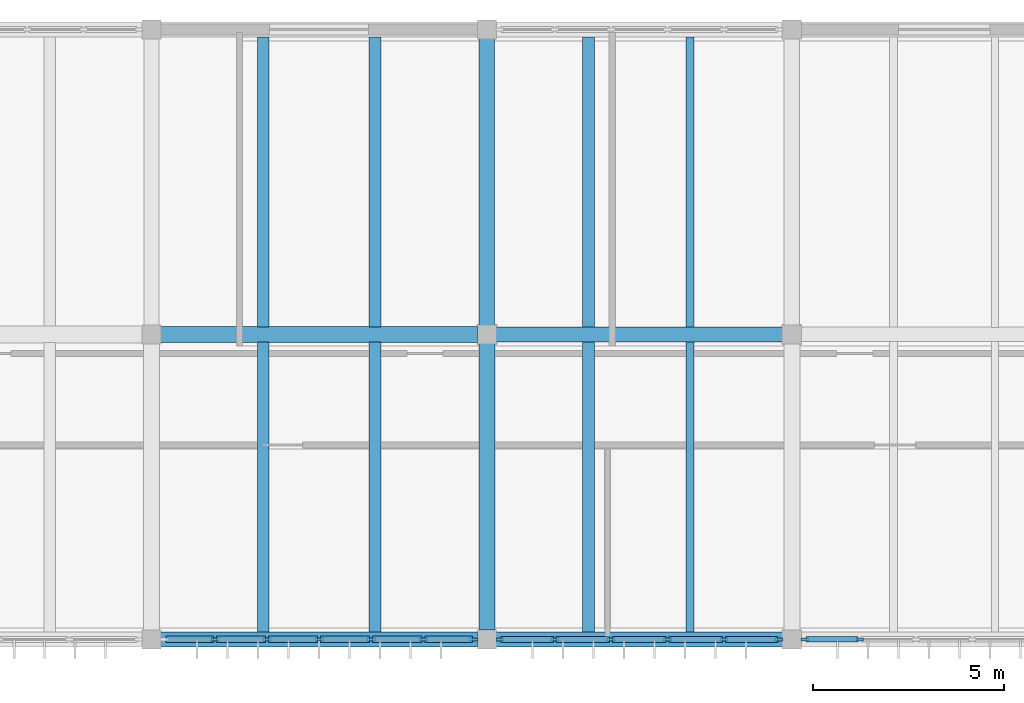
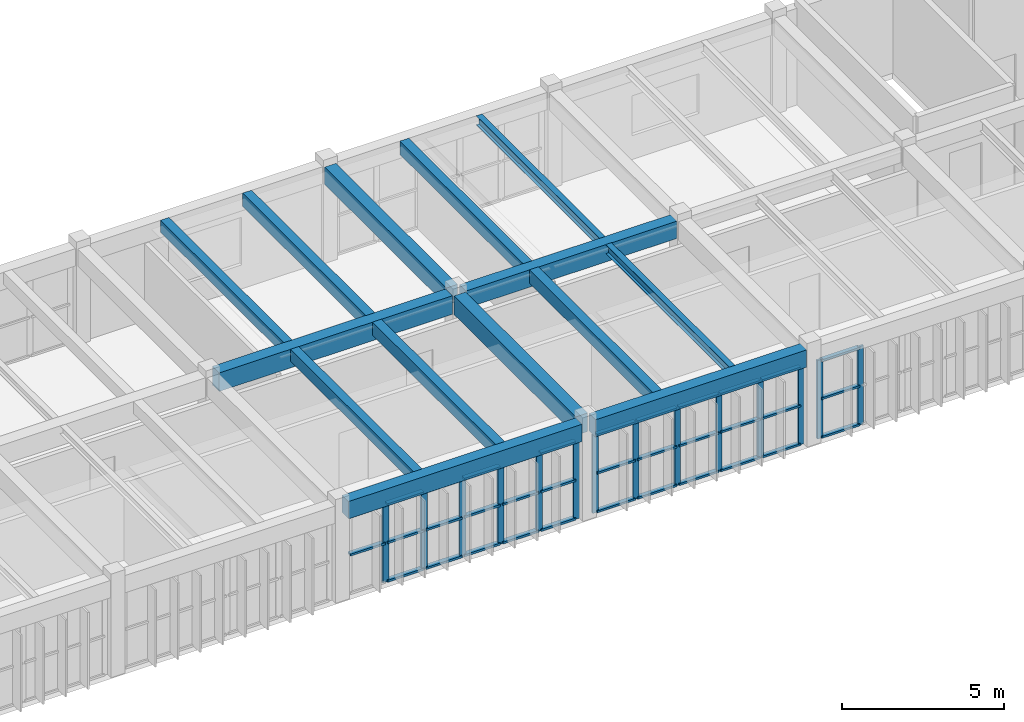
# One storey, part 4 of 12: 49 members, 14 beams, 3 elements without a shape of their own.
"""IFC4 building model written with IfcOpenShell, lengths in metres."""

import ifcopenshell
import ifcopenshell.guid

model = None  # the IFC model being written
_history = None  # IfcOwnerHistory: only IFC2X3 demands one
_inside = {}  # id of a spatial element -> (the spatial element, [elements in it])
_under = {}  # id of a project, library or spatial element -> (it, [spatial elements below it])
_declared = {}  # id of a project -> (the project, [libraries it declares])
_typed = {}  # id of a type object -> (the type object, [elements of that type])
_made_of = {}  # id of a material, layer set ... -> (it, [elements and type objects made of it])


def new_model(schema):
    """Start an empty IFC model of exactly this schema.

    Asked for "IFC4X3", IfcOpenShell would pick the latest addendum, in which some entities
    have other attributes; the version numbers below select the first issue.
    IFC2X3 requires an IfcOwnerHistory on every rooted entity: one is made here for all.
    """
    global model, _history
    if schema == "IFC4X3":
        model = ifcopenshell.file(schema_version=(4, 3, 0, 0))
    else:
        model = ifcopenshell.file(schema=schema)
    _inside.clear()
    _under.clear()
    _declared.clear()
    _typed.clear()
    _made_of.clear()
    _history = None
    if model.schema == "IFC2X3":
        org = make("IfcOrganization", Name="unknown")
        user = make(
            "IfcPersonAndOrganization",
            ThePerson=make("IfcPerson", FamilyName="unknown"),
            TheOrganization=org,
        )
        app = make(
            "IfcApplication",
            ApplicationDeveloper=org,
            Version="unknown",
            ApplicationFullName="unknown",
            ApplicationIdentifier="unknown",
        )
        _history = make(
            "IfcOwnerHistory",
            OwningUser=user,
            OwningApplication=app,
            ChangeAction="ADDED",
            CreationDate=0,
        )
    return model


def make(cls, **values):
    """One entity of the class cls with the attributes given. An attribute that is None is left unset."""
    return model.create_entity(
        cls, **{name: value for name, value in values.items() if value is not None}
    )


def rooted(cls, **values):
    """An entity with a GlobalId (a new one), such as an element, a storey or a relation."""
    return make(cls, GlobalId=ifcopenshell.guid.new(), OwnerHistory=_history, **values)


def si_unit(unit_type, name, prefix=None):
    """IfcSIUnit, for example si_unit("LENGTHUNIT", "METRE", prefix="MILLI")."""
    return make("IfcSIUnit", UnitType=unit_type, Prefix=prefix, Name=name)


def assignment(units):
    """IfcUnitAssignment: the units of a project."""
    return None if units is None else make("IfcUnitAssignment", Units=units)


def point(xyz):
    """IfcCartesianPoint."""
    return None if xyz is None else make("IfcCartesianPoint", Coordinates=xyz)


def direction(xyz):
    """IfcDirection."""
    return None if xyz is None else make("IfcDirection", DirectionRatios=xyz)


def frame(location, z_axis=None, x_axis=None):
    """IfcAxis2Placement3D, a coordinate frame: its origin and axes. An axis left out is left unset."""
    return make(
        "IfcAxis2Placement3D",
        Location=point(location),
        Axis=direction(z_axis),
        RefDirection=direction(x_axis),
    )


def frame_2d(location, x_axis=None):
    """IfcAxis2Placement2D, a coordinate frame in the plane: its origin and x axis."""
    return make(
        "IfcAxis2Placement2D", Location=point(location), RefDirection=direction(x_axis)
    )


def origin():
    """The frame at (0, 0, 0) with its axes left unset."""
    return frame((0.0, 0.0, 0.0))


def origin_2d():
    """The frame at (0, 0) in the plane with its x axis left unset."""
    return frame_2d((0.0, 0.0))


def place(relative_to, where):
    """IfcLocalPlacement: puts the frame where relative to a parent placement (None: the world)."""
    return make(
        "IfcLocalPlacement", PlacementRelTo=relative_to, RelativePlacement=where
    )


def context(
    kind, dimensions, precision=None, world=None, true_north=None, identifier=None
):
    """IfcGeometricRepresentationContext, for example the 3D "Model" context."""
    return make(
        "IfcGeometricRepresentationContext",
        ContextIdentifier=identifier,
        ContextType=kind,
        CoordinateSpaceDimension=dimensions,
        Precision=precision,
        WorldCoordinateSystem=world,
        TrueNorth=true_north,
    )


def subcontext(parent, identifier, kind, view, scale=None):
    """IfcGeometricRepresentationSubContext, for example "Body" below "Model"."""
    return make(
        "IfcGeometricRepresentationSubContext",
        ContextIdentifier=identifier,
        ContextType=kind,
        ParentContext=parent,
        TargetScale=scale,
        TargetView=view,
    )


def project(units=None, contexts=None):
    """IfcProject with its units and contexts."""
    return rooted(
        "IfcProject",
        Name="project",
        RepresentationContexts=contexts,
        UnitsInContext=assignment(units),
    )


def spatial(cls, under=None, at=None, **own):
    """A site, building, storey or space (cls), placed at a placement, below another one or the project."""
    s = rooted(cls, ObjectPlacement=at, **own)
    if under is not None:
        _under.setdefault(under.id(), (under, []))[1].append(s)
    return s


def profile(cls, at=None, kind="AREA", **sizes):
    """A parametric profile (cls). Its sizes go by their IFC names, for example OverallWidth=200.0."""
    return make(cls, ProfileType=kind, Position=at, **sizes)


def rectangle(**sizes):
    """IfcRectangleProfileDef."""
    return profile("IfcRectangleProfileDef", **sizes)


def i_section(**sizes):
    """IfcIShapeProfileDef."""
    return profile("IfcIShapeProfileDef", **sizes)


def extrude(swept, where, along, depth):
    """IfcExtrudedAreaSolid: the profile swept, set in the frame where, extruded along a direction by depth."""
    return make(
        "IfcExtrudedAreaSolid",
        SweptArea=swept,
        Position=where,
        ExtrudedDirection=direction(along),
        Depth=depth,
    )


def shape(context_of_items, identifier, shape_type, items):
    """IfcShapeRepresentation: the items that make up one representation, for example the "Body"."""
    return make(
        "IfcShapeRepresentation",
        ContextOfItems=context_of_items,
        RepresentationIdentifier=identifier,
        RepresentationType=shape_type,
        Items=items,
    )


def material(Name=None, Category=None):
    """IfcMaterial."""
    return make("IfcMaterial", Name=Name, Category=Category)


def material_profile(
    of_material, cross_section, Name=None, Category=None, Priority=None
):
    """IfcMaterialProfile: a cross section and its material."""
    return make(
        "IfcMaterialProfile",
        Name=Name,
        Material=of_material,
        Profile=cross_section,
        Priority=Priority,
        Category=Category,
    )


def profile_set(profiles, Name=None, composite=None):
    """IfcMaterialProfileSet."""
    return make(
        "IfcMaterialProfileSet",
        Name=Name,
        MaterialProfiles=profiles,
        CompositeProfile=composite,
    )


def made_of(thing, what):
    """Note that an element or type object is made of a material, layer set ...; save() writes the relation."""
    if what is not None:
        _made_of.setdefault(what.id(), (what, []))[1].append(thing)
    return thing


def type_object(cls, material=None, **own):
    """A type object (cls), such as IfcWallType, which elements share."""
    return made_of(rooted(cls, **own), material)


def element(
    cls,
    number,
    at=None,
    inside=None,
    cuts=None,
    type_object=None,
    material=None,
    context=None,
    identifier="Body",
    shape_type=None,
    held_by="IfcProductDefinitionShape",
    body=None,
    shapes=None,
    **own,
):
    """One element of the class cls, such as IfcWall. Its Tag is "e" and its number.

    at: its placement. inside: the storey or other place that contains it. cuts: it is an
    opening in that element (IfcRelVoidsElement). A single representation is given by context,
    identifier, shape_type and body (its items); several are given by shapes. held_by: the class
    of the entity that holds the representations. save() writes the other relations.
    """
    e = rooted(cls, Tag="e%d" % number, ObjectPlacement=at, **own)
    if body is not None:
        shapes = [shape(context, identifier, shape_type, body)]
    if shapes is not None:
        e.Representation = make(held_by, Representations=shapes)
    if inside is not None:
        _inside.setdefault(inside.id(), (inside, []))[1].append(e)
    if cuts is not None:
        rooted(
            "IfcRelVoidsElement", RelatingBuildingElement=cuts, RelatedOpeningElement=e
        )
    if type_object is not None:
        _typed.setdefault(type_object.id(), (type_object, []))[1].append(e)
    return made_of(e, material)


def aggregate(whole, parts):
    """IfcRelAggregates: a whole, such as a stair, and the parts it consists of."""
    return rooted("IfcRelAggregates", RelatingObject=whole, RelatedObjects=parts)


def save(model, path):
    """Write the relations noted so far, then the file.

    IfcRelAggregates (storeys below a building ...), IfcRelContainedInSpatialStructure (elements
    in a storey), IfcRelDefinesByType, IfcRelAssociatesMaterial and IfcRelDeclares: one each for
    every whole, place, type object, material and project.
    """
    for whole, parts in _under.values():
        aggregate(whole, parts)
    for where, things in _inside.values():
        rooted(
            "IfcRelContainedInSpatialStructure",
            RelatedElements=things,
            RelatingStructure=where,
        )
    for kind, things in _typed.values():
        rooted("IfcRelDefinesByType", RelatedObjects=things, RelatingType=kind)
    for what, things in _made_of.values():
        rooted("IfcRelAssociatesMaterial", RelatedObjects=things, RelatingMaterial=what)
    for by, libraries in _declared.values():
        rooted("IfcRelDeclares", RelatingContext=by, RelatedDefinitions=libraries)
    model.write(path)


model = new_model("IFC4")

# Units and contexts
model_context = context("Model", 3, precision=1e-05, world=origin(), true_north=direction((0.0, 1.0)))
body_context = subcontext(model_context, "Body", "Model", "MODEL_VIEW")
ifc_project = project(units=[si_unit("LENGTHUNIT", "METRE"), si_unit("AREAUNIT", "SQUARE_METRE"), si_unit("VOLUMEUNIT", "CUBIC_METRE"), si_unit("PLANEANGLEUNIT", "RADIAN"), si_unit("MASSUNIT", "GRAM", prefix="KILO")], contexts=[model_context])

# Site, building, storey
site_placement = place(None, origin())
site = spatial("IfcSite", under=ifc_project, at=site_placement, CompositionType="ELEMENT")
building_placement = place(site_placement, origin())
building = spatial("IfcBuilding", under=site, at=building_placement, Name="Tlaxcora Railside Police Headquarters", CompositionType="ELEMENT")
storey_placement = place(building_placement, frame((0.0, 0.0, 29.699951171875)))
storey = spatial("IfcBuildingStorey", under=building, at=storey_placement, Name="L07", CompositionType="ELEMENT", Elevation=29.699951171875)

# Curtain wall, members
ifc_material_1 = material(Name="Thermally broken low-E insulated glazing", Category="glass")
curtain_wall_type_1 = type_object("IfcCurtainWallType", Name="Unitised Curtain Wall Assembly CW-23", PredefinedType="NOTDEFINED", material=ifc_material_1)
curtain_wall_1_placement = place(storey_placement, origin())
curtain_wall_1 = element("IfcCurtainWall", 1, at=curtain_wall_1_placement, inside=storey, type_object=curtain_wall_type_1, Name="V5 L07 curtain wall 136", PredefinedType="NOTDEFINED")
ifc_material_2 = material(Name="Anodised aluminium framing", Category="aluminium")
ifc_material_profile_1 = material_profile(ifc_material_2, rectangle(XDim=0.080078125, YDim=0.219970703125, at=origin_2d()), Name="AL80X220")
ifc_profile_set_1 = profile_set([ifc_material_profile_1], Name="Anodised aluminium framing")
member_type_1 = type_object("IfcMemberType", Name="Curtain Wall Mullion CW-31", PredefinedType="MULLION", material=ifc_profile_set_1)
member_1_placement = place(storey_placement, frame((46.86669921875, 76.800048828125, 0.0), z_axis=(0.0, 0.0, 1.0), x_axis=(0.0, 1.0, 0.0)))
member_1 = element("IfcMember", 2, at=member_1_placement, type_object=member_type_1, Name="CW mullion 2", PredefinedType="MULLION", context=body_context, shape_type="SweptSolid", body=[
    extrude(rectangle(XDim=0.080078125, YDim=0.219970703125, at=origin_2d()), origin(), (0.0, 0.0, 1.0), 2.9599609375),
])
member_2_placement = place(storey_placement, frame((48.2333984375, 76.800048828125, 0.0), z_axis=(0.0, 0.0, 1.0), x_axis=(0.0, 1.0, 0.0)))
member_2 = element("IfcMember", 3, at=member_2_placement, type_object=member_type_1, Name="CW mullion 3", PredefinedType="MULLION", context=body_context, shape_type="SweptSolid", body=[
    extrude(rectangle(XDim=0.080078125, YDim=0.219970703125, at=origin_2d()), origin(), (0.0, 0.0, 1.0), 2.9599609375),
])
member_3_placement = place(storey_placement, frame((49.60009765625, 76.800048828125, 0.0), z_axis=(0.0, 0.0, 1.0), x_axis=(0.0, 1.0, 0.0)))
member_3 = element("IfcMember", 4, at=member_3_placement, type_object=member_type_1, Name="CW mullion 4", PredefinedType="MULLION", context=body_context, shape_type="SweptSolid", body=[
    extrude(rectangle(XDim=0.080078125, YDim=0.219970703125, at=origin_2d()), origin(), (0.0, 0.0, 1.0), 2.9599609375),
])
member_4_placement = place(storey_placement, frame((50.966552734375, 76.800048828125, 0.0), z_axis=(0.0, 0.0, 1.0), x_axis=(0.0, 1.0, 0.0)))
member_4 = element("IfcMember", 5, at=member_4_placement, type_object=member_type_1, Name="CW mullion 5", PredefinedType="MULLION", context=body_context, shape_type="SweptSolid", body=[
    extrude(rectangle(XDim=0.080078125, YDim=0.219970703125, at=origin_2d()), origin(), (0.0, 0.0, 1.0), 2.9599609375),
])
member_5_placement = place(storey_placement, frame((52.333251953125, 76.800048828125, 0.0), z_axis=(0.0, 0.0, 1.0), x_axis=(0.0, 1.0, 0.0)))
member_5 = element("IfcMember", 6, at=member_5_placement, type_object=member_type_1, Name="CW mullion 6", PredefinedType="MULLION", context=body_context, shape_type="SweptSolid", body=[
    extrude(rectangle(XDim=0.080078125, YDim=0.219970703125, at=origin_2d()), origin(), (0.0, 0.0, 1.0), 2.9599609375),
])
member_6_placement = place(storey_placement, frame((53.659912109375, 76.800048828125, 0.0), z_axis=(0.0, 0.0, 1.0), x_axis=(0.0, 1.0, 0.0)))
member_6 = element("IfcMember", 7, at=member_6_placement, type_object=member_type_1, Name="CW mullion 7", PredefinedType="MULLION", context=body_context, shape_type="SweptSolid", body=[
    extrude(rectangle(XDim=0.080078125, YDim=0.219970703125, at=origin_2d()), origin(), (0.0, 0.0, 1.0), 2.9599609375),
])

curtain_wall_type_2 = type_object("IfcCurtainWallType", Name="Unitised Curtain Wall Assembly CW-38", PredefinedType="NOTDEFINED", material=ifc_material_1)
curtain_wall_2_placement = place(storey_placement, origin())
curtain_wall_2 = element("IfcCurtainWall", 8, at=curtain_wall_2_placement, inside=storey, type_object=curtain_wall_type_2, Name="V5 L07 curtain wall 137", PredefinedType="NOTDEFINED")
ifc_material_profile_2 = material_profile(ifc_material_2, rectangle(XDim=0.074951171875, YDim=0.205078125, at=origin_2d()), Name="AL75X205")
ifc_profile_set_2 = profile_set([ifc_material_profile_2], Name="Anodised aluminium framing")
member_type_2 = type_object("IfcMemberType", Name="Curtain Wall Mullion CW-32", PredefinedType="MULLION", material=ifc_profile_set_2)
member_7_placement = place(storey_placement, frame((54.33740234375, 76.800048828125, 0.0), z_axis=(0.0, 0.0, 1.0), x_axis=(0.0, 1.0, 0.0)))
member_7 = element("IfcMember", 9, at=member_7_placement, type_object=member_type_2, Name="CW mullion 1", PredefinedType="MULLION", context=body_context, shape_type="SweptSolid", body=[
    extrude(rectangle(XDim=0.074951171875, YDim=0.205078125, at=origin_2d()), origin(), (0.0, 0.0, 1.0), 2.9599609375),
])
member_8_placement = place(storey_placement, frame((55.780029296875, 76.800048828125, 0.0), z_axis=(0.0, 0.0, 1.0), x_axis=(0.0, 1.0, 0.0)))
member_8 = element("IfcMember", 10, at=member_8_placement, type_object=member_type_2, Name="CW mullion 2", PredefinedType="MULLION", context=body_context, shape_type="SweptSolid", body=[
    extrude(rectangle(XDim=0.074951171875, YDim=0.205078125, at=origin_2d()), origin(), (0.0, 0.0, 1.0), 2.9599609375),
])
member_9_placement = place(storey_placement, frame((57.260009765625, 76.800048828125, 0.0), z_axis=(0.0, 0.0, 1.0), x_axis=(0.0, 1.0, 0.0)))
member_9 = element("IfcMember", 11, at=member_9_placement, type_object=member_type_2, Name="CW mullion 3", PredefinedType="MULLION", context=body_context, shape_type="SweptSolid", body=[
    extrude(rectangle(XDim=0.074951171875, YDim=0.205078125, at=origin_2d()), origin(), (0.0, 0.0, 1.0), 2.9599609375),
])
member_10_placement = place(storey_placement, frame((58.739990234375, 76.800048828125, 0.0), z_axis=(0.0, 0.0, 1.0), x_axis=(0.0, 1.0, 0.0)))
member_10 = element("IfcMember", 12, at=member_10_placement, type_object=member_type_2, Name="CW mullion 4", PredefinedType="MULLION", context=body_context, shape_type="SweptSolid", body=[
    extrude(rectangle(XDim=0.074951171875, YDim=0.205078125, at=origin_2d()), origin(), (0.0, 0.0, 1.0), 2.9599609375),
])
member_11_placement = place(storey_placement, frame((60.219970703125, 76.800048828125, 0.0), z_axis=(0.0, 0.0, 1.0), x_axis=(0.0, 1.0, 0.0)))
member_11 = element("IfcMember", 13, at=member_11_placement, type_object=member_type_2, Name="CW mullion 5", PredefinedType="MULLION", context=body_context, shape_type="SweptSolid", body=[
    extrude(rectangle(XDim=0.074951171875, YDim=0.205078125, at=origin_2d()), origin(), (0.0, 0.0, 1.0), 2.9599609375),
])
member_12_placement = place(storey_placement, frame((61.66259765625, 76.800048828125, 0.0), z_axis=(0.0, 0.0, 1.0), x_axis=(0.0, 1.0, 0.0)))
member_12 = element("IfcMember", 14, at=member_12_placement, type_object=member_type_2, Name="CW mullion 6", PredefinedType="MULLION", context=body_context, shape_type="SweptSolid", body=[
    extrude(rectangle(XDim=0.074951171875, YDim=0.205078125, at=origin_2d()), origin(), (0.0, 0.0, 1.0), 2.9599609375),
])

curtain_wall_type_3 = type_object("IfcCurtainWallType", Name="Unitised Curtain Wall Assembly CW-15", PredefinedType="NOTDEFINED", material=ifc_material_1)
curtain_wall_3_placement = place(storey_placement, origin())
curtain_wall_3 = element("IfcCurtainWall", 15, at=curtain_wall_3_placement, inside=storey, type_object=curtain_wall_type_3, Name="V5 L07 curtain wall 138", PredefinedType="NOTDEFINED")
ifc_material_profile_3 = material_profile(ifc_material_2, rectangle(XDim=0.074951171875, YDim=0.199951171875, at=origin_2d()), Name="AL75X200")
ifc_profile_set_3 = profile_set([ifc_material_profile_3], Name="Anodised aluminium framing")
member_type_3 = type_object("IfcMemberType", Name="Curtain Wall Mullion CW-58", PredefinedType="MULLION", material=ifc_profile_set_3)
member_13_placement = place(storey_placement, frame((62.33740234375, 76.800048828125, 0.0), z_axis=(0.0, 0.0, 1.0), x_axis=(0.0, 1.0, 0.0)))
member_13 = element("IfcMember", 16, at=member_13_placement, type_object=member_type_3, Name="CW mullion 1", PredefinedType="MULLION", context=body_context, shape_type="SweptSolid", body=[
    extrude(rectangle(XDim=0.074951171875, YDim=0.199951171875, at=origin_2d()), origin(), (0.0, 0.0, 1.0), 2.9599609375),
])
member_14_placement = place(storey_placement, frame((63.780029296875, 76.800048828125, 0.0), z_axis=(0.0, 0.0, 1.0), x_axis=(0.0, 1.0, 0.0)))
member_14 = element("IfcMember", 17, at=member_14_placement, type_object=member_type_3, Name="CW mullion 2", PredefinedType="MULLION", context=body_context, shape_type="SweptSolid", body=[
    extrude(rectangle(XDim=0.074951171875, YDim=0.199951171875, at=origin_2d()), origin(), (0.0, 0.0, 1.0), 2.9599609375),
])
ifc_material_profile_4 = material_profile(ifc_material_2, rectangle(XDim=0.14990234375, YDim=0.074951171875, at=origin_2d()), Name="AL75X150")
ifc_profile_set_4 = profile_set([ifc_material_profile_4], Name="Anodised aluminium framing")
member_type_4 = type_object("IfcMemberType", Name="Curtain Wall Transom CW-28", PredefinedType="USERDEFINED", material=ifc_profile_set_4)
member_15_placement = place(storey_placement, frame((62.375, 76.800048828125, 0.03759765625), z_axis=(1.0, 0.0, 0.0), x_axis=(0.0, 1.0, 0.0)))
member_15 = element("IfcMember", 18, at=member_15_placement, type_object=member_type_4, Name="CW transom 1.1", ObjectType="TRANSOM", PredefinedType="USERDEFINED", context=body_context, shape_type="SweptSolid", body=[
    extrude(rectangle(XDim=0.14990234375, YDim=0.074951171875, at=origin_2d()), origin(), (0.0, 0.0, 1.0), 1.367431640625),
])
member_16_placement = place(storey_placement, frame((62.375, 76.800048828125, 1.489990234375), z_axis=(1.0, 0.0, 0.0), x_axis=(0.0, 1.0, 0.0)))
member_16 = element("IfcMember", 19, at=member_16_placement, type_object=member_type_4, Name="CW transom 1.2", ObjectType="TRANSOM", PredefinedType="USERDEFINED", context=body_context, shape_type="SweptSolid", body=[
    extrude(rectangle(XDim=0.14990234375, YDim=0.074951171875, at=origin_2d()), origin(), (0.0, 0.0, 1.0), 1.367431640625),
])
member_17_placement = place(storey_placement, frame((62.375, 76.800048828125, 2.922607421875), z_axis=(1.0, 0.0, 0.0), x_axis=(0.0, 1.0, 0.0)))
member_17 = element("IfcMember", 20, at=member_17_placement, type_object=member_type_4, Name="CW transom 1.3", ObjectType="TRANSOM", PredefinedType="USERDEFINED", context=body_context, shape_type="SweptSolid", body=[
    extrude(rectangle(XDim=0.14990234375, YDim=0.074951171875, at=origin_2d()), origin(), (0.0, 0.0, 1.0), 1.367431640625),
])
aggregate(curtain_wall_3, [member_13, member_14, member_15, member_16, member_17])

# Member
ifc_material_profile_5 = material_profile(ifc_material_2, rectangle(XDim=0.155029296875, YDim=0.074951171875, at=origin_2d()), Name="AL75X155")
ifc_profile_set_5 = profile_set([ifc_material_profile_5], Name="Anodised aluminium framing")
member_type_5 = type_object("IfcMemberType", Name="Curtain Wall Transom CW-30", PredefinedType="USERDEFINED", material=ifc_profile_set_5)
member_18_placement = place(storey_placement, frame((54.375, 76.800048828125, 0.03759765625), z_axis=(1.0, 0.0, 0.0), x_axis=(0.0, 1.0, 0.0)))
member_18 = element("IfcMember", 21, at=member_18_placement, type_object=member_type_5, Name="CW transom 1.1", ObjectType="TRANSOM", PredefinedType="USERDEFINED", context=body_context, shape_type="SweptSolid", body=[
    extrude(rectangle(XDim=0.155029296875, YDim=0.074951171875, at=origin_2d()), origin(), (0.0, 0.0, 1.0), 1.367431640625),
])

member_19_placement = place(storey_placement, frame((54.375, 76.800048828125, 1.489990234375), z_axis=(1.0, 0.0, 0.0), x_axis=(0.0, 1.0, 0.0)))
member_19 = element("IfcMember", 22, at=member_19_placement, type_object=member_type_5, Name="CW transom 1.2", ObjectType="TRANSOM", PredefinedType="USERDEFINED", context=body_context, shape_type="SweptSolid", body=[
    extrude(rectangle(XDim=0.155029296875, YDim=0.074951171875, at=origin_2d()), origin(), (0.0, 0.0, 1.0), 1.367431640625),
])

member_20_placement = place(storey_placement, frame((54.375, 76.800048828125, 2.922607421875), z_axis=(1.0, 0.0, 0.0), x_axis=(0.0, 1.0, 0.0)))
member_20 = element("IfcMember", 23, at=member_20_placement, type_object=member_type_5, Name="CW transom 1.3", ObjectType="TRANSOM", PredefinedType="USERDEFINED", context=body_context, shape_type="SweptSolid", body=[
    extrude(rectangle(XDim=0.155029296875, YDim=0.074951171875, at=origin_2d()), origin(), (0.0, 0.0, 1.0), 1.367431640625),
])

member_21_placement = place(storey_placement, frame((55.8173828125, 76.800048828125, 0.03759765625), z_axis=(1.0, 0.0, 0.0), x_axis=(0.0, 1.0, 0.0)))
member_21 = element("IfcMember", 24, at=member_21_placement, type_object=member_type_5, Name="CW transom 2.1", ObjectType="TRANSOM", PredefinedType="USERDEFINED", context=body_context, shape_type="SweptSolid", body=[
    extrude(rectangle(XDim=0.155029296875, YDim=0.074951171875, at=origin_2d()), origin(), (0.0, 0.0, 1.0), 1.405029296875),
])

member_22_placement = place(storey_placement, frame((55.8173828125, 76.800048828125, 1.489990234375), z_axis=(1.0, 0.0, 0.0), x_axis=(0.0, 1.0, 0.0)))
member_22 = element("IfcMember", 25, at=member_22_placement, type_object=member_type_5, Name="CW transom 2.2", ObjectType="TRANSOM", PredefinedType="USERDEFINED", context=body_context, shape_type="SweptSolid", body=[
    extrude(rectangle(XDim=0.155029296875, YDim=0.074951171875, at=origin_2d()), origin(), (0.0, 0.0, 1.0), 1.405029296875),
])

member_23_placement = place(storey_placement, frame((55.8173828125, 76.800048828125, 2.922607421875), z_axis=(1.0, 0.0, 0.0), x_axis=(0.0, 1.0, 0.0)))
member_23 = element("IfcMember", 26, at=member_23_placement, type_object=member_type_5, Name="CW transom 2.3", ObjectType="TRANSOM", PredefinedType="USERDEFINED", context=body_context, shape_type="SweptSolid", body=[
    extrude(rectangle(XDim=0.155029296875, YDim=0.074951171875, at=origin_2d()), origin(), (0.0, 0.0, 1.0), 1.405029296875),
])

member_24_placement = place(storey_placement, frame((57.297607421875, 76.800048828125, 0.03759765625), z_axis=(1.0, 0.0, 0.0), x_axis=(0.0, 1.0, 0.0)))
member_24 = element("IfcMember", 27, at=member_24_placement, type_object=member_type_5, Name="CW transom 3.1", ObjectType="TRANSOM", PredefinedType="USERDEFINED", context=body_context, shape_type="SweptSolid", body=[
    extrude(rectangle(XDim=0.155029296875, YDim=0.074951171875, at=origin_2d()), origin(), (0.0, 0.0, 1.0), 1.40478515625),
])

member_25_placement = place(storey_placement, frame((57.297607421875, 76.800048828125, 1.489990234375), z_axis=(1.0, 0.0, 0.0), x_axis=(0.0, 1.0, 0.0)))
member_25 = element("IfcMember", 28, at=member_25_placement, type_object=member_type_5, Name="CW transom 3.2", ObjectType="TRANSOM", PredefinedType="USERDEFINED", context=body_context, shape_type="SweptSolid", body=[
    extrude(rectangle(XDim=0.155029296875, YDim=0.074951171875, at=origin_2d()), origin(), (0.0, 0.0, 1.0), 1.40478515625),
])

member_26_placement = place(storey_placement, frame((57.297607421875, 76.800048828125, 2.922607421875), z_axis=(1.0, 0.0, 0.0), x_axis=(0.0, 1.0, 0.0)))
member_26 = element("IfcMember", 29, at=member_26_placement, type_object=member_type_5, Name="CW transom 3.3", ObjectType="TRANSOM", PredefinedType="USERDEFINED", context=body_context, shape_type="SweptSolid", body=[
    extrude(rectangle(XDim=0.155029296875, YDim=0.074951171875, at=origin_2d()), origin(), (0.0, 0.0, 1.0), 1.40478515625),
])

member_27_placement = place(storey_placement, frame((58.777587890625, 76.800048828125, 0.03759765625), z_axis=(1.0, 0.0, 0.0), x_axis=(0.0, 1.0, 0.0)))
member_27 = element("IfcMember", 30, at=member_27_placement, type_object=member_type_5, Name="CW transom 4.1", ObjectType="TRANSOM", PredefinedType="USERDEFINED", context=body_context, shape_type="SweptSolid", body=[
    extrude(rectangle(XDim=0.155029296875, YDim=0.074951171875, at=origin_2d()), origin(), (0.0, 0.0, 1.0), 1.405029296875),
])

member_28_placement = place(storey_placement, frame((58.777587890625, 76.800048828125, 1.489990234375), z_axis=(1.0, 0.0, 0.0), x_axis=(0.0, 1.0, 0.0)))
member_28 = element("IfcMember", 31, at=member_28_placement, type_object=member_type_5, Name="CW transom 4.2", ObjectType="TRANSOM", PredefinedType="USERDEFINED", context=body_context, shape_type="SweptSolid", body=[
    extrude(rectangle(XDim=0.155029296875, YDim=0.074951171875, at=origin_2d()), origin(), (0.0, 0.0, 1.0), 1.405029296875),
])

member_29_placement = place(storey_placement, frame((58.777587890625, 76.800048828125, 2.922607421875), z_axis=(1.0, 0.0, 0.0), x_axis=(0.0, 1.0, 0.0)))
member_29 = element("IfcMember", 32, at=member_29_placement, type_object=member_type_5, Name="CW transom 4.3", ObjectType="TRANSOM", PredefinedType="USERDEFINED", context=body_context, shape_type="SweptSolid", body=[
    extrude(rectangle(XDim=0.155029296875, YDim=0.074951171875, at=origin_2d()), origin(), (0.0, 0.0, 1.0), 1.405029296875),
])

member_30_placement = place(storey_placement, frame((60.257568359375, 76.800048828125, 0.03759765625), z_axis=(1.0, 0.0, 0.0), x_axis=(0.0, 1.0, 0.0)))
member_30 = element("IfcMember", 33, at=member_30_placement, type_object=member_type_5, Name="CW transom 5.1", ObjectType="TRANSOM", PredefinedType="USERDEFINED", context=body_context, shape_type="SweptSolid", body=[
    extrude(rectangle(XDim=0.155029296875, YDim=0.074951171875, at=origin_2d()), origin(), (0.0, 0.0, 1.0), 1.367431640625),
])

member_31_placement = place(storey_placement, frame((60.257568359375, 76.800048828125, 1.489990234375), z_axis=(1.0, 0.0, 0.0), x_axis=(0.0, 1.0, 0.0)))
member_31 = element("IfcMember", 34, at=member_31_placement, type_object=member_type_5, Name="CW transom 5.2", ObjectType="TRANSOM", PredefinedType="USERDEFINED", context=body_context, shape_type="SweptSolid", body=[
    extrude(rectangle(XDim=0.155029296875, YDim=0.074951171875, at=origin_2d()), origin(), (0.0, 0.0, 1.0), 1.367431640625),
])

member_32_placement = place(storey_placement, frame((60.257568359375, 76.800048828125, 2.922607421875), z_axis=(1.0, 0.0, 0.0), x_axis=(0.0, 1.0, 0.0)))
member_32 = element("IfcMember", 35, at=member_32_placement, type_object=member_type_5, Name="CW transom 5.3", ObjectType="TRANSOM", PredefinedType="USERDEFINED", context=body_context, shape_type="SweptSolid", body=[
    extrude(rectangle(XDim=0.155029296875, YDim=0.074951171875, at=origin_2d()), origin(), (0.0, 0.0, 1.0), 1.367431640625),
])

aggregate(curtain_wall_2, [member_7, member_8, member_9, member_10, member_11, member_12, member_18, member_19, member_20, member_21, member_22, member_23, member_24, member_25, member_26, member_27, member_28, member_29, member_30, member_31, member_32])

ifc_material_profile_6 = material_profile(ifc_material_2, rectangle(XDim=0.1650390625, YDim=0.080078125, at=origin_2d()), Name="AL80X165")
ifc_profile_set_6 = profile_set([ifc_material_profile_6], Name="Anodised aluminium framing")
member_type_6 = type_object("IfcMemberType", Name="Curtain Wall Transom CW-62", PredefinedType="USERDEFINED", material=ifc_profile_set_6)
member_33_placement = place(storey_placement, frame((45.580078125, 76.800048828125, 1.489990234375), z_axis=(1.0, 0.0, 0.0), x_axis=(0.0, 1.0, 0.0)))
member_33 = element("IfcMember", 36, at=member_33_placement, type_object=member_type_6, Name="CW transom 1.2", ObjectType="TRANSOM", PredefinedType="USERDEFINED", context=body_context, shape_type="SweptSolid", body=[
    extrude(rectangle(XDim=0.1650390625, YDim=0.080078125, at=origin_2d()), origin(), (0.0, 0.0, 1.0), 1.24658203125),
])

member_34_placement = place(storey_placement, frame((45.580078125, 76.800048828125, 2.920166015625), z_axis=(1.0, 0.0, 0.0), x_axis=(0.0, 1.0, 0.0)))
member_34 = element("IfcMember", 37, at=member_34_placement, type_object=member_type_6, Name="CW transom 1.3", ObjectType="TRANSOM", PredefinedType="USERDEFINED", context=body_context, shape_type="SweptSolid", body=[
    extrude(rectangle(XDim=0.1650390625, YDim=0.080078125, at=origin_2d()), origin(), (0.0, 0.0, 1.0), 1.24658203125),
])

member_35_placement = place(storey_placement, frame((46.90673828125, 76.800048828125, 0.0400390625), z_axis=(1.0, 0.0, 0.0), x_axis=(0.0, 1.0, 0.0)))
member_35 = element("IfcMember", 38, at=member_35_placement, type_object=member_type_6, Name="CW transom 2.1", ObjectType="TRANSOM", PredefinedType="USERDEFINED", context=body_context, shape_type="SweptSolid", body=[
    extrude(rectangle(XDim=0.1650390625, YDim=0.080078125, at=origin_2d()), origin(), (0.0, 0.0, 1.0), 1.28662109375),
])

member_36_placement = place(storey_placement, frame((46.90673828125, 76.800048828125, 1.489990234375), z_axis=(1.0, 0.0, 0.0), x_axis=(0.0, 1.0, 0.0)))
member_36 = element("IfcMember", 39, at=member_36_placement, type_object=member_type_6, Name="CW transom 2.2", ObjectType="TRANSOM", PredefinedType="USERDEFINED", context=body_context, shape_type="SweptSolid", body=[
    extrude(rectangle(XDim=0.1650390625, YDim=0.080078125, at=origin_2d()), origin(), (0.0, 0.0, 1.0), 1.28662109375),
])

member_37_placement = place(storey_placement, frame((46.90673828125, 76.800048828125, 2.920166015625), z_axis=(1.0, 0.0, 0.0), x_axis=(0.0, 1.0, 0.0)))
member_37 = element("IfcMember", 40, at=member_37_placement, type_object=member_type_6, Name="CW transom 2.3", ObjectType="TRANSOM", PredefinedType="USERDEFINED", context=body_context, shape_type="SweptSolid", body=[
    extrude(rectangle(XDim=0.1650390625, YDim=0.080078125, at=origin_2d()), origin(), (0.0, 0.0, 1.0), 1.28662109375),
])

member_38_placement = place(storey_placement, frame((48.2734375, 76.800048828125, 0.0400390625), z_axis=(1.0, 0.0, 0.0), x_axis=(0.0, 1.0, 0.0)))
member_38 = element("IfcMember", 41, at=member_38_placement, type_object=member_type_6, Name="CW transom 3.1", ObjectType="TRANSOM", PredefinedType="USERDEFINED", context=body_context, shape_type="SweptSolid", body=[
    extrude(rectangle(XDim=0.1650390625, YDim=0.080078125, at=origin_2d()), origin(), (0.0, 0.0, 1.0), 1.28662109375),
])

member_39_placement = place(storey_placement, frame((48.2734375, 76.800048828125, 1.489990234375), z_axis=(1.0, 0.0, 0.0), x_axis=(0.0, 1.0, 0.0)))
member_39 = element("IfcMember", 42, at=member_39_placement, type_object=member_type_6, Name="CW transom 3.2", ObjectType="TRANSOM", PredefinedType="USERDEFINED", context=body_context, shape_type="SweptSolid", body=[
    extrude(rectangle(XDim=0.1650390625, YDim=0.080078125, at=origin_2d()), origin(), (0.0, 0.0, 1.0), 1.28662109375),
])

member_40_placement = place(storey_placement, frame((48.2734375, 76.800048828125, 2.920166015625), z_axis=(1.0, 0.0, 0.0), x_axis=(0.0, 1.0, 0.0)))
member_40 = element("IfcMember", 43, at=member_40_placement, type_object=member_type_6, Name="CW transom 3.3", ObjectType="TRANSOM", PredefinedType="USERDEFINED", context=body_context, shape_type="SweptSolid", body=[
    extrude(rectangle(XDim=0.1650390625, YDim=0.080078125, at=origin_2d()), origin(), (0.0, 0.0, 1.0), 1.28662109375),
])

member_41_placement = place(storey_placement, frame((49.639892578125, 76.800048828125, 0.0400390625), z_axis=(1.0, 0.0, 0.0), x_axis=(0.0, 1.0, 0.0)))
member_41 = element("IfcMember", 44, at=member_41_placement, type_object=member_type_6, Name="CW transom 4.1", ObjectType="TRANSOM", PredefinedType="USERDEFINED", context=body_context, shape_type="SweptSolid", body=[
    extrude(rectangle(XDim=0.1650390625, YDim=0.080078125, at=origin_2d()), origin(), (0.0, 0.0, 1.0), 1.286865234375),
])

member_42_placement = place(storey_placement, frame((49.639892578125, 76.800048828125, 1.489990234375), z_axis=(1.0, 0.0, 0.0), x_axis=(0.0, 1.0, 0.0)))
member_42 = element("IfcMember", 45, at=member_42_placement, type_object=member_type_6, Name="CW transom 4.2", ObjectType="TRANSOM", PredefinedType="USERDEFINED", context=body_context, shape_type="SweptSolid", body=[
    extrude(rectangle(XDim=0.1650390625, YDim=0.080078125, at=origin_2d()), origin(), (0.0, 0.0, 1.0), 1.286865234375),
])

member_43_placement = place(storey_placement, frame((49.639892578125, 76.800048828125, 2.920166015625), z_axis=(1.0, 0.0, 0.0), x_axis=(0.0, 1.0, 0.0)))
member_43 = element("IfcMember", 46, at=member_43_placement, type_object=member_type_6, Name="CW transom 4.3", ObjectType="TRANSOM", PredefinedType="USERDEFINED", context=body_context, shape_type="SweptSolid", body=[
    extrude(rectangle(XDim=0.1650390625, YDim=0.080078125, at=origin_2d()), origin(), (0.0, 0.0, 1.0), 1.286865234375),
])

member_44_placement = place(storey_placement, frame((51.006591796875, 76.800048828125, 0.0400390625), z_axis=(1.0, 0.0, 0.0), x_axis=(0.0, 1.0, 0.0)))
member_44 = element("IfcMember", 47, at=member_44_placement, type_object=member_type_6, Name="CW transom 5.1", ObjectType="TRANSOM", PredefinedType="USERDEFINED", context=body_context, shape_type="SweptSolid", body=[
    extrude(rectangle(XDim=0.1650390625, YDim=0.080078125, at=origin_2d()), origin(), (0.0, 0.0, 1.0), 1.28662109375),
])

member_45_placement = place(storey_placement, frame((51.006591796875, 76.800048828125, 1.489990234375), z_axis=(1.0, 0.0, 0.0), x_axis=(0.0, 1.0, 0.0)))
member_45 = element("IfcMember", 48, at=member_45_placement, type_object=member_type_6, Name="CW transom 5.2", ObjectType="TRANSOM", PredefinedType="USERDEFINED", context=body_context, shape_type="SweptSolid", body=[
    extrude(rectangle(XDim=0.1650390625, YDim=0.080078125, at=origin_2d()), origin(), (0.0, 0.0, 1.0), 1.28662109375),
])

member_46_placement = place(storey_placement, frame((51.006591796875, 76.800048828125, 2.920166015625), z_axis=(1.0, 0.0, 0.0), x_axis=(0.0, 1.0, 0.0)))
member_46 = element("IfcMember", 49, at=member_46_placement, type_object=member_type_6, Name="CW transom 5.3", ObjectType="TRANSOM", PredefinedType="USERDEFINED", context=body_context, shape_type="SweptSolid", body=[
    extrude(rectangle(XDim=0.1650390625, YDim=0.080078125, at=origin_2d()), origin(), (0.0, 0.0, 1.0), 1.28662109375),
])

member_47_placement = place(storey_placement, frame((52.373291015625, 76.800048828125, 0.0400390625), z_axis=(1.0, 0.0, 0.0), x_axis=(0.0, 1.0, 0.0)))
member_47 = element("IfcMember", 50, at=member_47_placement, type_object=member_type_6, Name="CW transom 6.1", ObjectType="TRANSOM", PredefinedType="USERDEFINED", context=body_context, shape_type="SweptSolid", body=[
    extrude(rectangle(XDim=0.1650390625, YDim=0.080078125, at=origin_2d()), origin(), (0.0, 0.0, 1.0), 1.246826171875),
])

member_48_placement = place(storey_placement, frame((52.373291015625, 76.800048828125, 1.489990234375), z_axis=(1.0, 0.0, 0.0), x_axis=(0.0, 1.0, 0.0)))
member_48 = element("IfcMember", 51, at=member_48_placement, type_object=member_type_6, Name="CW transom 6.2", ObjectType="TRANSOM", PredefinedType="USERDEFINED", context=body_context, shape_type="SweptSolid", body=[
    extrude(rectangle(XDim=0.1650390625, YDim=0.080078125, at=origin_2d()), origin(), (0.0, 0.0, 1.0), 1.246826171875),
])

member_49_placement = place(storey_placement, frame((52.373291015625, 76.800048828125, 2.920166015625), z_axis=(1.0, 0.0, 0.0), x_axis=(0.0, 1.0, 0.0)))
member_49 = element("IfcMember", 52, at=member_49_placement, type_object=member_type_6, Name="CW transom 6.3", ObjectType="TRANSOM", PredefinedType="USERDEFINED", context=body_context, shape_type="SweptSolid", body=[
    extrude(rectangle(XDim=0.1650390625, YDim=0.080078125, at=origin_2d()), origin(), (0.0, 0.0, 1.0), 1.246826171875),
])

aggregate(curtain_wall_1, [member_1, member_2, member_3, member_4, member_5, member_6, member_33, member_34, member_35, member_36, member_37, member_38, member_39, member_40, member_41, member_42, member_43, member_44, member_45, member_46, member_47, member_48, member_49])

# Beams
ifc_material_3 = material(Name="Concrete C40/50", Category="concrete")
ifc_material_profile_7 = material_profile(ifc_material_3, rectangle(XDim=0.39990234375, YDim=0.64990234375, at=origin_2d()), Name="RC400X650")
ifc_profile_set_7 = profile_set([ifc_material_profile_7], Name="Concrete C40/50")
beam_type_1 = type_object("IfcBeamType", Name="Perimeter Spandrel Beam BM-46", PredefinedType="SPANDREL", material=ifc_profile_set_7)
beam_1_placement = place(storey_placement, frame((45.43994140625, 76.800048828125, 3.304931640625), z_axis=(1.0, 0.0, 0.0), x_axis=(0.0, 1.0, 0.0)))
element("IfcBeam", 53, at=beam_1_placement, inside=storey, type_object=beam_type_1, Name="V5 L07 X-girder Y=76.8", PredefinedType="SPANDREL", context=body_context, shape_type="SweptSolid", body=[
    extrude(rectangle(XDim=0.39990234375, YDim=0.64990234375, at=origin_2d()), origin(), (0.0, 0.0, 1.0), 8.320068359375),
])
beam_2_placement = place(storey_placement, frame((54.239990234375, 76.800048828125, 3.304931640625), z_axis=(1.0, 0.0, 0.0), x_axis=(0.0, 1.0, 0.0)))
element("IfcBeam", 54, at=beam_2_placement, inside=storey, type_object=beam_type_1, Name="V5 L07 X-girder Y=76.8", PredefinedType="SPANDREL", context=body_context, shape_type="SweptSolid", body=[
    extrude(rectangle(XDim=0.39990234375, YDim=0.64990234375, at=origin_2d()), origin(), (0.0, 0.0, 1.0), 7.52001953125),
])
ifc_material_profile_8 = material_profile(ifc_material_3, rectangle(XDim=0.419921875, YDim=0.699951171875, at=origin_2d()), Name="RC420X700")
ifc_profile_set_8 = profile_set([ifc_material_profile_8], Name="Concrete C40/50")
beam_type_2 = type_object("IfcBeamType", Name="Primary Frame Girder BM-35", PredefinedType="BEAM", material=ifc_profile_set_8)
beam_3_placement = place(storey_placement, frame((45.43994140625, 84.800048828125, 3.280029296875), z_axis=(1.0, 0.0, 0.0), x_axis=(0.0, 1.0, 0.0)))
element("IfcBeam", 55, at=beam_3_placement, inside=storey, type_object=beam_type_2, Name="V5 L07 X-girder Y=84.8", PredefinedType="BEAM", context=body_context, shape_type="SweptSolid", body=[
    extrude(rectangle(XDim=0.419921875, YDim=0.699951171875, at=origin_2d()), origin(), (0.0, 0.0, 1.0), 8.320068359375),
])
beam_4_placement = place(storey_placement, frame((54.0, 77.0400390625, 3.280029296875), z_axis=(0.0, 1.0, 0.0), x_axis=(-1.0, 0.0, 0.0)))
element("IfcBeam", 56, at=beam_4_placement, inside=storey, type_object=beam_type_2, Name="V5 L07 Y-girder X=54.0", PredefinedType="BEAM", context=body_context, shape_type="SweptSolid", body=[
    extrude(rectangle(XDim=0.419921875, YDim=0.699951171875, at=origin_2d()), origin(), (0.0, 0.0, 1.0), 7.52001953125),
])
ifc_material_profile_9 = material_profile(ifc_material_3, rectangle(XDim=0.39990234375, YDim=0.64990234375, at=origin_2d()), Name="RC400X650")
ifc_profile_set_9 = profile_set([ifc_material_profile_9], Name="Concrete C40/50")
beam_type_3 = type_object("IfcBeamType", Name="Primary Frame Girder BM-41", PredefinedType="BEAM", material=ifc_profile_set_9)
for number, where, z_axis, x_axis, name in (
    (57, (54.239990234375, 84.800048828125, 3.304931640625), (1.0, 0.0, 0.0), (0.0, 1.0, 0.0), "V5 L07 X-girder Y=84.8"),
    (58, (54.0, 85.0400390625, 3.304931640625), (0.0, 1.0, 0.0), (-1.0, 0.0, 0.0), "V5 L07 Y-girder X=54.0"),
):
    element("IfcBeam", number, at=place(storey_placement, frame(where, z_axis=z_axis, x_axis=x_axis)), inside=storey, type_object=beam_type_3, Name=name, PredefinedType="BEAM", context=body_context, shape_type="SweptSolid", body=[
        extrude(rectangle(XDim=0.39990234375, YDim=0.64990234375, at=origin_2d()), origin(), (0.0, 0.0, 1.0), 7.52001953125),
    ])
ifc_material_4 = material(Name="Concrete C35/45", Category="concrete")
ifc_material_profile_10 = material_profile(ifc_material_4, rectangle(XDim=0.300048828125, YDim=0.449951171875, at=origin_2d()), Name="RC300X450")
ifc_profile_set_10 = profile_set([ifc_material_profile_10], Name="Concrete C35/45")
beam_type_4 = type_object("IfcBeamType", Name="Secondary Floor Joist BM-27", PredefinedType="JOIST", material=ifc_profile_set_10)
for number, where, z_axis, x_axis, name in (
    (59, (48.13330078125, 76.991943359375, 3.405029296875), (0.0, 1.0, 0.0), (-1.0, 0.0, 0.0), "V5 L07 floor joist X=48.13"),
    (60, (48.13330078125, 85.001953125, 3.405029296875), (0.0, 1.0, 0.0), (-1.0, 0.0, 0.0), "V5 L07 floor joist X=48.13"),
):
    element("IfcBeam", number, at=place(storey_placement, frame(where, z_axis=z_axis, x_axis=x_axis)), inside=storey, type_object=beam_type_4, Name=name, PredefinedType="JOIST", context=body_context, shape_type="SweptSolid", body=[
        extrude(rectangle(XDim=0.300048828125, YDim=0.449951171875, at=origin_2d()), origin(), (0.0, 0.0, 1.0), 7.60595703125),
    ])
ifc_material_5 = material(Name="Steel ASTM A992 Grade 50", Category="steel")
ifc_material_profile_11 = material_profile(ifc_material_5, i_section(OverallWidth=0.2041015625, OverallDepth=0.35009765625, WebThickness=0.008544921875, FlangeThickness=0.01513671875, at=origin_2d()), Name="W14X48")
ifc_profile_set_11 = profile_set([ifc_material_profile_11], Name="Steel ASTM A992 Grade 50")
beam_type_5 = type_object("IfcBeamType", Name="Secondary Floor Joist BM-65", PredefinedType="JOIST", material=ifc_profile_set_11)
for number, where, z_axis, x_axis, name in (
    (61, (59.333251953125, 76.991943359375, 3.455078125), (0.0, 1.0, 0.0), (-1.0, 0.0, 0.0), "V5 L07 floor joist X=59.33"),
    (62, (59.333251953125, 84.991943359375, 3.455078125), (0.0, 1.0, 0.0), (-1.0, 0.0, 0.0), "V5 L07 floor joist X=59.33"),
):
    element("IfcBeam", number, at=place(storey_placement, frame(where, z_axis=z_axis, x_axis=x_axis)), inside=storey, type_object=beam_type_5, Name=name, PredefinedType="JOIST", context=body_context, shape_type="SweptSolid", body=[
        extrude(i_section(OverallWidth=0.2041015625, OverallDepth=0.35009765625, WebThickness=0.008544921875, FlangeThickness=0.01513671875, at=origin_2d()), origin(), (0.0, 0.0, 1.0), 7.615966796875),
    ])
ifc_material_profile_12 = material_profile(ifc_material_4, rectangle(XDim=0.320068359375, YDim=0.5, at=origin_2d()), Name="RC320X500")
ifc_profile_set_12 = profile_set([ifc_material_profile_12], Name="Concrete C35/45")
beam_type_6 = type_object("IfcBeamType", Name="Secondary Floor Joist BM-88", PredefinedType="JOIST", material=ifc_profile_set_12)
beam_5_placement = place(storey_placement, frame((51.066650390625, 76.991943359375, 3.380126953125), z_axis=(0.0, 1.0, 0.0), x_axis=(-1.0, 0.0, 0.0)))
element("IfcBeam", 63, at=beam_5_placement, inside=storey, type_object=beam_type_6, Name="V5 L07 floor joist X=51.07", PredefinedType="JOIST", context=body_context, shape_type="SweptSolid", body=[
    extrude(rectangle(XDim=0.320068359375, YDim=0.5, at=origin_2d()), origin(), (0.0, 0.0, 1.0), 7.60595703125),
])
beam_6_placement = place(storey_placement, frame((56.666748046875, 76.991943359375, 3.380126953125), z_axis=(0.0, 1.0, 0.0), x_axis=(-1.0, 0.0, 0.0)))
element("IfcBeam", 64, at=beam_6_placement, inside=storey, type_object=beam_type_6, Name="V5 L07 floor joist X=56.67", PredefinedType="JOIST", context=body_context, shape_type="SweptSolid", body=[
    extrude(rectangle(XDim=0.320068359375, YDim=0.5, at=origin_2d()), origin(), (0.0, 0.0, 1.0), 7.615966796875),
])
beam_7_placement = place(storey_placement, frame((51.066650390625, 85.001953125, 3.380126953125), z_axis=(0.0, 1.0, 0.0), x_axis=(-1.0, 0.0, 0.0)))
element("IfcBeam", 65, at=beam_7_placement, inside=storey, type_object=beam_type_6, Name="V5 L07 floor joist X=51.07", PredefinedType="JOIST", context=body_context, shape_type="SweptSolid", body=[
    extrude(rectangle(XDim=0.320068359375, YDim=0.5, at=origin_2d()), origin(), (0.0, 0.0, 1.0), 7.60595703125),
])
beam_8_placement = place(storey_placement, frame((56.666748046875, 84.991943359375, 3.380126953125), z_axis=(0.0, 1.0, 0.0), x_axis=(-1.0, 0.0, 0.0)))
element("IfcBeam", 66, at=beam_8_placement, inside=storey, type_object=beam_type_6, Name="V5 L07 floor joist X=56.67", PredefinedType="JOIST", context=body_context, shape_type="SweptSolid", body=[
    extrude(rectangle(XDim=0.320068359375, YDim=0.5, at=origin_2d()), origin(), (0.0, 0.0, 1.0), 7.615966796875),
])

save(model, "model.ifc")
